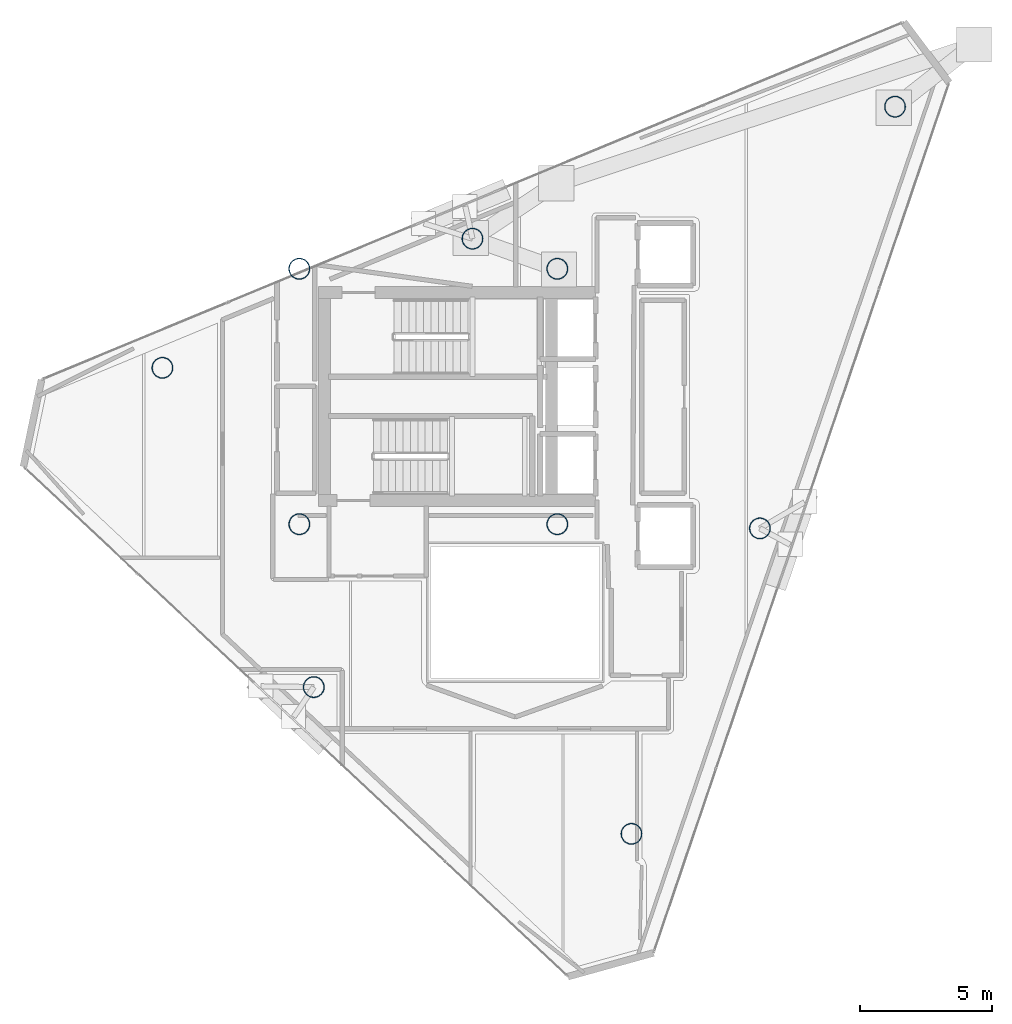
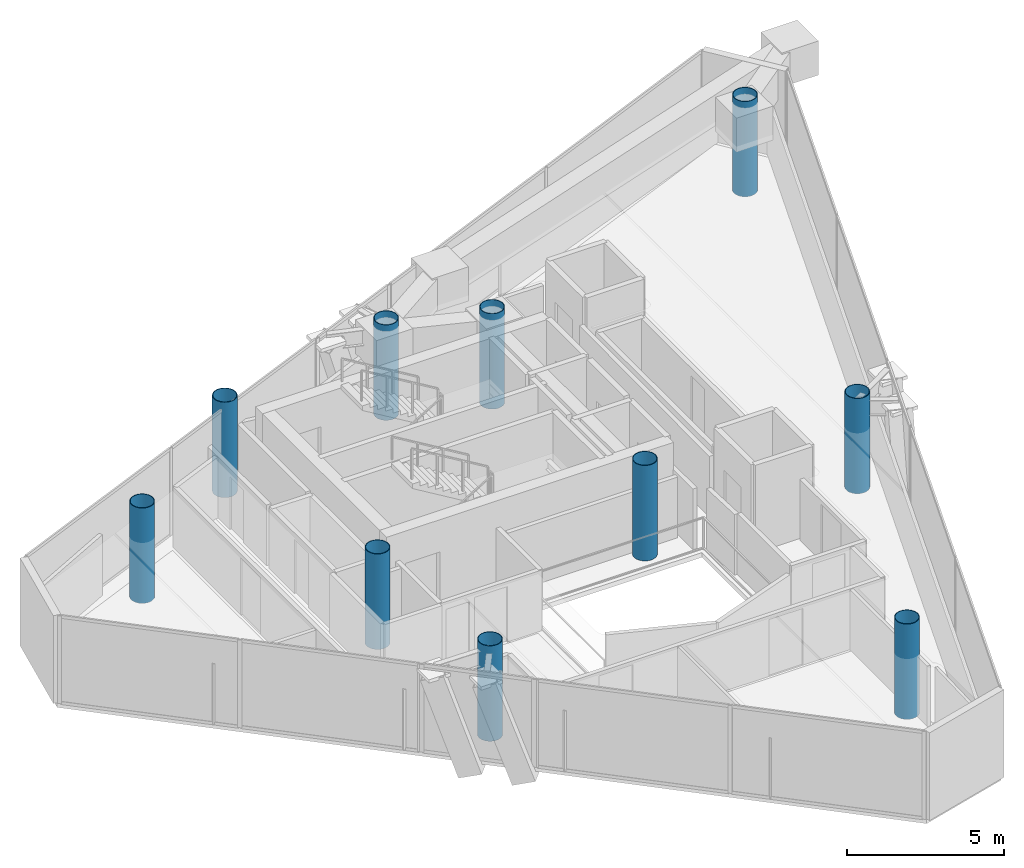
# One storey, part 1 of 18: 10 columns.
"""IFC4 building model written with IfcOpenShell, lengths in metres."""

from ifc_helpers import new_model, si_unit, direction, frame, origin, origin_2d, place, context, subcontext, project, spatial, hollow_circle, extrude, material, material_profile, profile_set, type_object, element, save


model = new_model("IFC4")

# Units and contexts
model_context = context("Model", 3, precision=1e-05, world=origin(), true_north=direction((0.0, 1.0)))
body_context = subcontext(model_context, "Body", "Model", "MODEL_VIEW")
ifc_project = project(units=[si_unit("LENGTHUNIT", "METRE"), si_unit("AREAUNIT", "SQUARE_METRE"), si_unit("VOLUMEUNIT", "CUBIC_METRE"), si_unit("PLANEANGLEUNIT", "RADIAN"), si_unit("MASSUNIT", "GRAM", prefix="KILO")], contexts=[model_context])

# Site, building, storey
site_placement = place(None, origin())
site = spatial("IfcSite", under=ifc_project, at=site_placement, CompositionType="ELEMENT")
building_placement = place(site_placement, origin())
building = spatial("IfcBuilding", under=site, at=building_placement, Name="Qianvela Tower", CompositionType="ELEMENT")
storey_placement = place(building_placement, frame((0.0, 0.0, 348.10009765625)))
storey = spatial("IfcBuildingStorey", under=building, at=storey_placement, Name="L90", CompositionType="ELEMENT", Elevation=348.10009765625)

# Columns
ifc_material = material(Name="Steel Q420GJC", Category="steel")
ifc_material_profile = material_profile(ifc_material, hollow_circle(Radius=0.39990234375, WallThickness=0.02197265625, at=origin_2d()), Name="CFT-800x22")
ifc_profile_set = profile_set([ifc_material_profile], Name="Steel Q420GJC")
column_type = type_object("IfcColumnType", Name="COL-CFT-800x22", PredefinedType="COLUMN", material=ifc_profile_set)
for number, where, z_axis, x_axis, name in (
    (1, (28.60009765625, 33.550048828125, 0.0), (0.0, 0.0, 1.0), (1.0, 0.0, 0.0), "L90 Core Corner Mega-Column CC-NW"),
    (2, (28.60009765625, 23.85009765625, 0.0), (0.0, 0.0, 1.0), (1.0, 0.0, 0.0), "L90 Core Corner Mega-Column CC-SW"),
    (3, (38.39990234375, 33.550048828125, 0.0), (0.0, 0.0, 1.0), (1.0, 0.0, 0.0), "L90 Core Corner Mega-Column CC-NE"),
    (4, (38.39990234375, 23.85009765625, 0.0), (0.0, 0.0, 1.0), (1.0, 0.0, 0.0), "L90 Core Corner Mega-Column CC-SE"),
    (5, (51.22705078125, 39.7080078125, 0.0), (0.0, 0.0, 1.0), (1.0, 0.0, 0.0), "L90 Zone Z8 CFT Mega-Column C1"),
    (6, (35.177001953125, 34.695068359375, 0.0), (0.0, 0.0, 1.0), (1.0, 0.0, 0.0), "L90 Zone Z8 CFT Mega-Column C2"),
    (7, (23.39990234375, 29.7890625, 0.0), (0.0, 0.0, 1.0), (1.0, 0.0, 0.0), "L90 Zone Z8 CFT Mega-Column C3"),
    (8, (29.14990234375, 17.662109375, 0.0), (0.0, 0.0, 1.0), (1.0, 0.0, 0.0), "L90 Zone Z8 CFT Mega-Column C4"),
    (9, (41.217041015625, 12.087890625, 0.0), (0.0, 0.0, 1.0), (1.0, 0.0, 0.0), "L90 Zone Z8 CFT Mega-Column C5"),
    (10, (46.094970703125, 23.69091796875, 0.0), (0.0, 0.0, 1.0), (1.0, 0.0, 0.0), "L90 Zone Z8 CFT Mega-Column C6"),
):
    element("IfcColumn", number, at=place(storey_placement, frame(where, z_axis=z_axis, x_axis=x_axis)), inside=storey, type_object=column_type, Name=name, PredefinedType="COLUMN", context=body_context, shape_type="SweptSolid", body=[
        extrude(hollow_circle(Radius=0.39990234375, WallThickness=0.02197265625, at=origin_2d()), origin(), (0.0, 0.0, 1.0), 3.699951171875),
    ])

save(model, "model.ifc")
